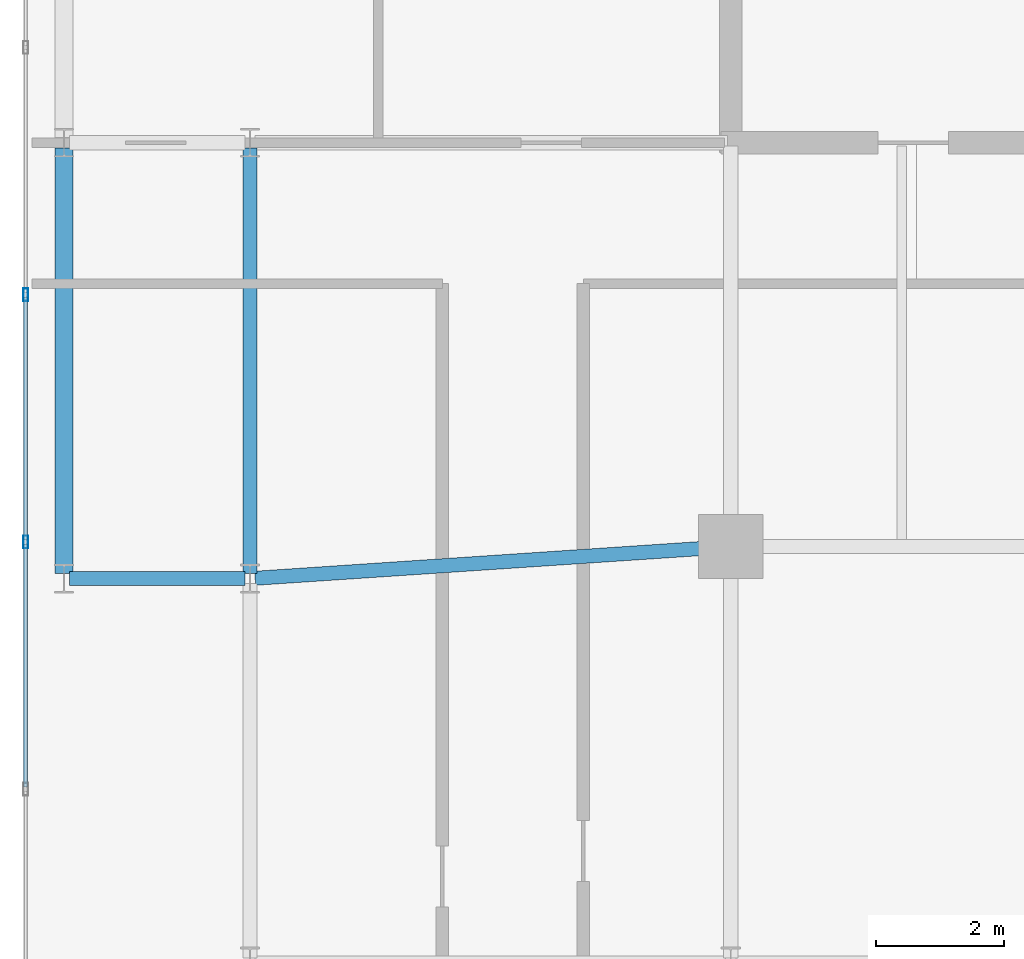
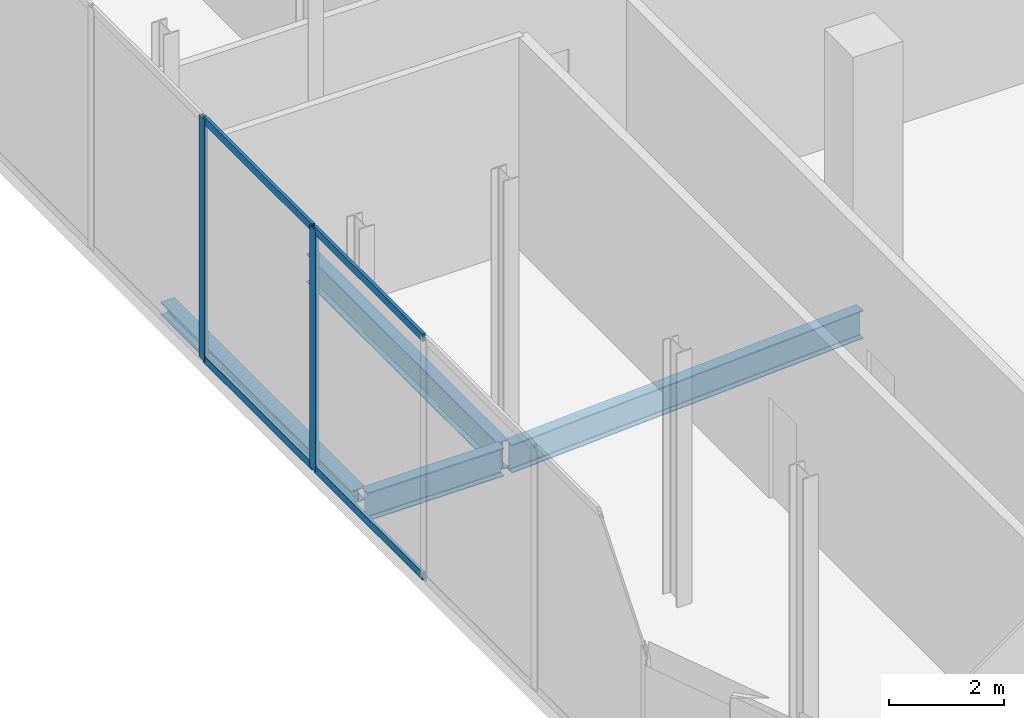
# One storey, part 6 of 17: 6 members, 4 beams, 1 element without a shape of its own.
"""IFC4 building model written with IfcOpenShell, lengths in metres."""

from ifc_helpers import new_model, si_unit, direction, frame, origin, origin_2d, place, context, subcontext, project, spatial, hollow_rectangle, i_section, extrude, material, layer, layer_set, material_profile, profile_set, type_object, element, aggregate, save


model = new_model("IFC4")

# Units and contexts
model_context = context("Model", 3, precision=1e-05, world=origin(), true_north=direction((0.0, 1.0)))
body_context = subcontext(model_context, "Body", "Model", "MODEL_VIEW")
ifc_project = project(units=[si_unit("LENGTHUNIT", "METRE"), si_unit("AREAUNIT", "SQUARE_METRE"), si_unit("VOLUMEUNIT", "CUBIC_METRE"), si_unit("PLANEANGLEUNIT", "RADIAN"), si_unit("MASSUNIT", "GRAM", prefix="KILO")], contexts=[model_context])

# Site, building, storey
site_placement = place(None, origin())
site = spatial("IfcSite", under=ifc_project, at=site_placement, CompositionType="ELEMENT")
building_placement = place(site_placement, origin())
building = spatial("IfcBuilding", under=site, at=building_placement, Name="Catumbela Crestline Tower", CompositionType="ELEMENT")
storey_placement = place(building_placement, frame((0.0, 0.0, 213.0)))
storey = spatial("IfcBuildingStorey", under=building, at=storey_placement, Name="L55", CompositionType="ELEMENT", Elevation=213.0)

# Beams
ifc_material_1 = material(Name="Structural steel S355J2", Category="steel")
ifc_material_profile_1 = material_profile(ifc_material_1, i_section(OverallWidth=0.22, OverallDepth=0.6, WebThickness=0.012, FlangeThickness=0.019, FilletRadius=0.024, at=origin_2d()), Name="IPE 600")
ifc_profile_set_1 = profile_set([ifc_material_profile_1], Name="Structural steel S355J2")
beam_type_1 = type_object("IfcBeamType", Name="BG-IPE600", PredefinedType="BEAM", material=ifc_profile_set_1)
beam_1_placement = place(storey_placement, frame((5.68, 24.0, -0.65), z_axis=(1.0, 0.0, 0.0), x_axis=(0.0, 1.0, 0.0)))
element("IfcBeam", 1, at=beam_1_placement, inside=storey, type_object=beam_type_1, Name="L55 Beam BM-L55-S01", PredefinedType="BEAM", context=body_context, shape_type="SweptSolid", body=[
    extrude(i_section(OverallWidth=0.22, OverallDepth=0.6, WebThickness=0.012, FlangeThickness=0.019, FilletRadius=0.024, at=origin_2d()), origin(), (0.0, 0.0, 1.0), 2.74),
])
beam_2_placement = place(storey_placement, frame((8.5798, 24.0053, -0.65), z_axis=(0.997784796964, 0.066524423687, 0.0), x_axis=(-0.066524423687, 0.997784796964, 0.0)))
element("IfcBeam", 2, at=beam_2_placement, inside=storey, type_object=beam_type_1, Name="L55 Beam BM-L55-S02", PredefinedType="BEAM", context=body_context, shape_type="SweptSolid", body=[
    extrude(i_section(OverallWidth=0.22, OverallDepth=0.6, WebThickness=0.012, FlangeThickness=0.019, FilletRadius=0.024, at=origin_2d()), origin(), (0.0, 0.0, 1.0), 7.3567),
])
beam_3_placement = place(storey_placement, frame((8.5, 24.08, -0.65), z_axis=(0.0, 1.0, 0.0), x_axis=(-1.0, 0.0, 0.0)))
element("IfcBeam", 3, at=beam_3_placement, inside=storey, type_object=beam_type_1, Name="L55 Beam BM-L55-SN14", PredefinedType="BEAM", context=body_context, shape_type="SweptSolid", body=[
    extrude(i_section(OverallWidth=0.22, OverallDepth=0.6, WebThickness=0.012, FlangeThickness=0.019, FilletRadius=0.024, at=origin_2d()), origin(), (0.0, 0.0, 1.0), 6.64),
])

# Curtain wall, members
ifc_material_2 = material(Name="Aluminium alloy AW-6060-T66", Category="aluminium")
ifc_layer = layer(ifc_material_2, 0.18, Name="Aluminium alloy AW-6060-T66")
ifc_layer_set = layer_set([ifc_layer], Name="Aluminium alloy AW-6060-T66")
curtain_wall_type = type_object("IfcCurtainWallType", Name="CWU-SKY", PredefinedType="USERDEFINED", material=ifc_layer_set)
curtain_wall_placement = place(storey_placement, origin())
curtain_wall = element("IfcCurtainWall", 4, at=curtain_wall_placement, inside=storey, type_object=curtain_wall_type, Name="L55 Unitised Curtain Wall CW-L55-E9S1", ObjectType="UNITISED", PredefinedType="USERDEFINED")
ifc_material_profile_2 = material_profile(ifc_material_2, hollow_rectangle(XDim=0.075, YDim=0.2, WallThickness=0.005, at=origin_2d()), Name="ALU 200x75x5")
ifc_profile_set_2 = profile_set([ifc_material_profile_2], Name="Aluminium alloy AW-6060-T66")
member_type_1 = type_object("IfcMemberType", Name="MUL-200X75", PredefinedType="MULLION", material=ifc_profile_set_2)
member_1_placement = place(storey_placement, frame((5.0, 28.4286, 0.0), z_axis=(0.0, 0.0, 1.0), x_axis=(1.0, 0.0, 0.0)))
member_1 = element("IfcMember", 5, at=member_1_placement, type_object=member_type_1, Name="CWU-SKY mullion 4", PredefinedType="MULLION", context=body_context, shape_type="SweptSolid", body=[
    extrude(hollow_rectangle(XDim=0.075, YDim=0.2, WallThickness=0.005, at=origin_2d()), origin(), (0.0, 0.0, 1.0), 5.13),
])
member_2_placement = place(storey_placement, frame((5.0, 24.5714, 0.0), z_axis=(0.0, 0.0, 1.0), x_axis=(1.0, 0.0, 0.0)))
member_2 = element("IfcMember", 6, at=member_2_placement, type_object=member_type_1, Name="CWU-SKY mullion 5", PredefinedType="MULLION", context=body_context, shape_type="SweptSolid", body=[
    extrude(hollow_rectangle(XDim=0.075, YDim=0.2, WallThickness=0.005, at=origin_2d()), origin(), (0.0, 0.0, 1.0), 5.13),
])

# Beam
ifc_material_profile_3 = material_profile(ifc_material_1, i_section(OverallWidth=0.28, OverallDepth=0.28, WebThickness=0.0105, FlangeThickness=0.018, FilletRadius=0.024, at=origin_2d()), Name="HEB 280")
ifc_profile_set_3 = profile_set([ifc_material_profile_3], Name="Structural steel S355J2")
beam_type_2 = type_object("IfcBeamType", Name="BS-HEB280", PredefinedType="SPANDREL", material=ifc_profile_set_3)
beam_4_placement = place(storey_placement, frame((5.6, 24.08, -0.49), z_axis=(0.0, 1.0, 0.0), x_axis=(-1.0, 0.0, 0.0)))
element("IfcBeam", 7, at=beam_4_placement, inside=storey, type_object=beam_type_2, Name="L55 Spandrel SP-L55-SN12", PredefinedType="SPANDREL", context=body_context, shape_type="SweptSolid", body=[
    extrude(i_section(OverallWidth=0.28, OverallDepth=0.28, WebThickness=0.0105, FlangeThickness=0.018, FilletRadius=0.024, at=origin_2d()), origin(), (0.0, 0.0, 1.0), 6.64),
])

# Member
ifc_material_profile_4 = material_profile(ifc_material_2, hollow_rectangle(XDim=0.06, YDim=0.16, WallThickness=0.004, at=origin_2d()), Name="ALU 160x60x4")
ifc_profile_set_4 = profile_set([ifc_material_profile_4], Name="Aluminium alloy AW-6060-T66")
member_type_2 = type_object("IfcMemberType", Name="TRN-160X60", PredefinedType="USERDEFINED", material=ifc_profile_set_4)
member_3_placement = place(storey_placement, frame((5.0, 28.3961, 0.03), z_axis=(0.0, -1.0, 0.0), x_axis=(1.0, 0.0, 0.0)))
member_3 = element("IfcMember", 8, at=member_3_placement, type_object=member_type_2, Name="CWU-SKY transom 4.1", ObjectType="TRANSOM", PredefinedType="USERDEFINED", context=body_context, shape_type="SweptSolid", body=[
    extrude(hollow_rectangle(XDim=0.06, YDim=0.16, WallThickness=0.004, at=origin_2d()), origin(), (0.0, 0.0, 1.0), 3.7922),
])

member_4_placement = place(storey_placement, frame((5.0, 28.3961, 5.1), z_axis=(0.0, -1.0, 0.0), x_axis=(1.0, 0.0, 0.0)))
member_4 = element("IfcMember", 9, at=member_4_placement, type_object=member_type_2, Name="CWU-SKY transom 4.2", ObjectType="TRANSOM", PredefinedType="USERDEFINED", context=body_context, shape_type="SweptSolid", body=[
    extrude(hollow_rectangle(XDim=0.06, YDim=0.16, WallThickness=0.004, at=origin_2d()), origin(), (0.0, 0.0, 1.0), 3.7922),
])

member_5_placement = place(storey_placement, frame((5.0, 24.5389, 0.03), z_axis=(0.0, -1.0, 0.0), x_axis=(1.0, 0.0, 0.0)))
member_5 = element("IfcMember", 10, at=member_5_placement, type_object=member_type_2, Name="CWU-SKY transom 5.1", ObjectType="TRANSOM", PredefinedType="USERDEFINED", context=body_context, shape_type="SweptSolid", body=[
    extrude(hollow_rectangle(XDim=0.06, YDim=0.16, WallThickness=0.004, at=origin_2d()), origin(), (0.0, 0.0, 1.0), 3.7921),
])

member_6_placement = place(storey_placement, frame((5.0, 24.5389, 5.1), z_axis=(0.0, -1.0, 0.0), x_axis=(1.0, 0.0, 0.0)))
member_6 = element("IfcMember", 11, at=member_6_placement, type_object=member_type_2, Name="CWU-SKY transom 5.2", ObjectType="TRANSOM", PredefinedType="USERDEFINED", context=body_context, shape_type="SweptSolid", body=[
    extrude(hollow_rectangle(XDim=0.06, YDim=0.16, WallThickness=0.004, at=origin_2d()), origin(), (0.0, 0.0, 1.0), 3.7921),
])

aggregate(curtain_wall, [member_1, member_2, member_3, member_4, member_5, member_6])

save(model, "model.ifc")
